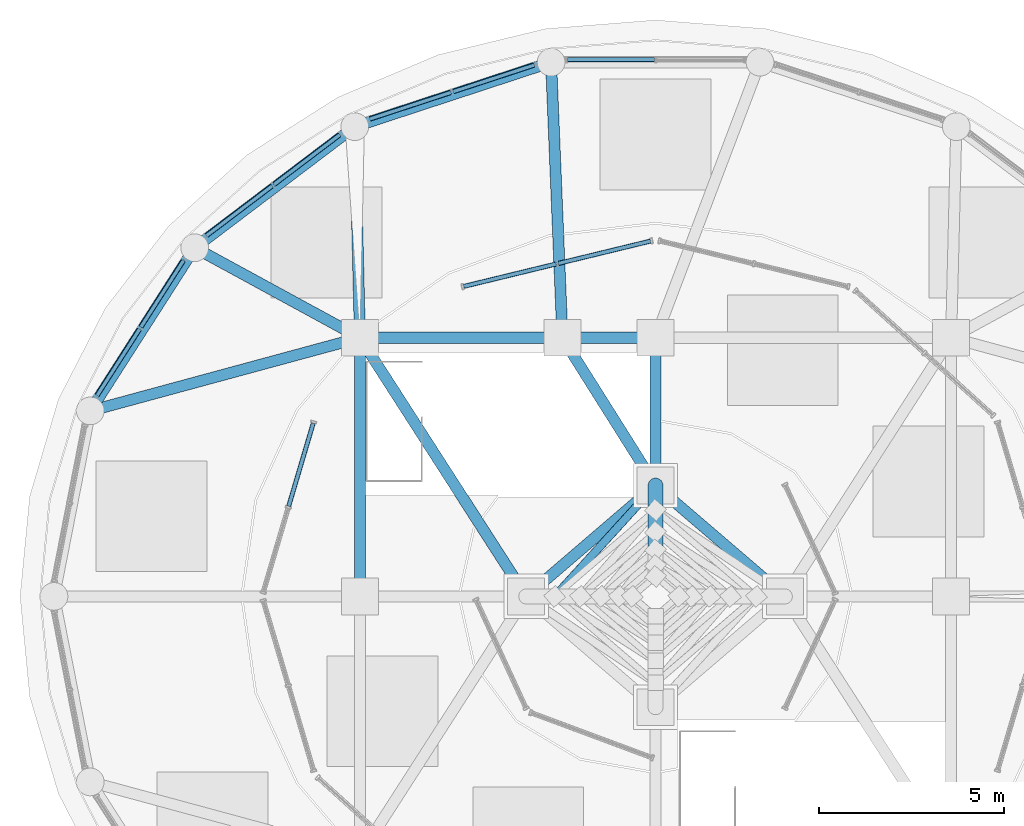
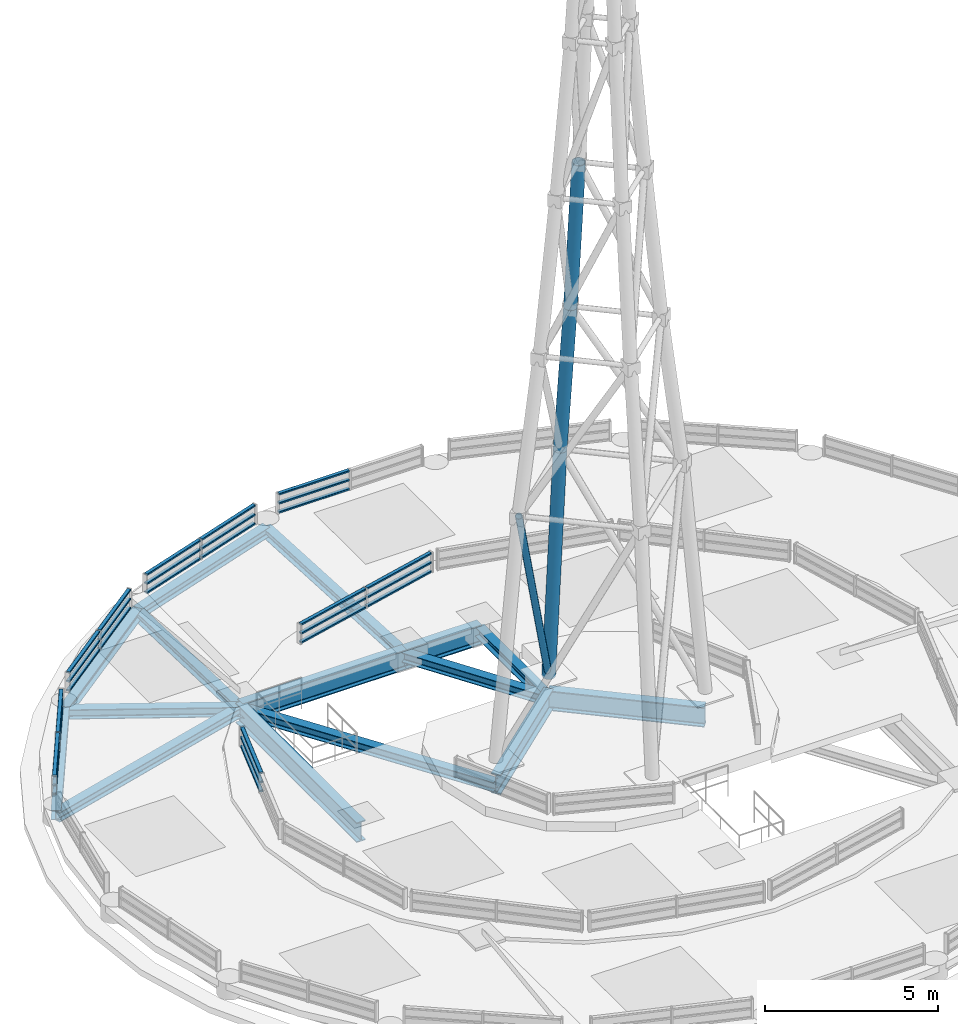
# One storey, part 5 of 21: 34 members, 15 beams, 6 elements without a shape of their own.
"""IFC4 building model written with IfcOpenShell, lengths in metres."""

from ifc_helpers import new_model, si_unit, direction, frame, origin, origin_2d, place, context, subcontext, project, spatial, hollow_rectangle, hollow_circle, i_section, extrude, material, layer, layer_set, material_profile, profile_set, type_object, element, aggregate, save


model = new_model("IFC4")

# Units and contexts
model_context = context("Model", 3, precision=1e-05, world=origin(), true_north=direction((0.0, 1.0)))
body_context = subcontext(model_context, "Body", "Model", "MODEL_VIEW")
ifc_project = project(units=[si_unit("LENGTHUNIT", "METRE"), si_unit("AREAUNIT", "SQUARE_METRE"), si_unit("VOLUMEUNIT", "CUBIC_METRE"), si_unit("PLANEANGLEUNIT", "RADIAN"), si_unit("MASSUNIT", "GRAM", prefix="KILO")], contexts=[model_context])

# Site, building, storey
site_placement = place(None, origin())
site = spatial("IfcSite", under=ifc_project, at=site_placement, CompositionType="ELEMENT")
building_placement = place(site_placement, origin())
building = spatial("IfcBuilding", under=site, at=building_placement, Name="Kelanora Arch Commons", CompositionType="ELEMENT")
storey_placement = place(building_placement, frame((0.0, 0.0, 311.10009765625)))
storey = spatial("IfcBuildingStorey", under=building, at=storey_placement, Name="RF", CompositionType="ELEMENT", Elevation=311.10009765625)

# Beams
ifc_material_1 = material(Name="Steel S355", Category="steel")
ifc_material_profile_1 = material_profile(ifc_material_1, i_section(OverallWidth=0.300048828125, OverallDepth=0.699951171875, WebThickness=0.01708984375, FlangeThickness=0.031982421875, FilletRadius=0.027099609375, at=origin_2d()), Name="HEB700")
ifc_profile_set_1 = profile_set([ifc_material_profile_1], Name="Steel S355")
beam_type_1 = type_object("IfcBeamType", Name="BM-CORE-HDR", PredefinedType="BEAM", material=ifc_profile_set_1)
beam_1_placement = place(storey_placement, frame((74.0, 65.0, 0.099853515625), z_axis=(-1.0, 0.0, 0.0), x_axis=(0.0, -1.0, 0.0)))
element("IfcBeam", 1, at=beam_1_placement, inside=storey, type_object=beam_type_1, Name="Crown Mid Lantern Roof Ring 06", PredefinedType="BEAM", context=body_context, shape_type="SweptSolid", body=[
    extrude(i_section(OverallWidth=0.300048828125, OverallDepth=0.699951171875, WebThickness=0.01708984375, FlangeThickness=0.031982421875, FilletRadius=0.027099609375, at=origin_2d()), origin(), (0.0, 0.0, 1.0), 2.52001953125),
])
beam_2_placement = place(storey_placement, frame((71.47998046875, 65.0, 0.099853515625), z_axis=(-1.0, 0.0, 0.0), x_axis=(0.0, -1.0, 0.0)))
element("IfcBeam", 2, at=beam_2_placement, inside=storey, type_object=beam_type_1, Name="Crown Mid Lantern Roof Ring 07", PredefinedType="BEAM", context=body_context, shape_type="SweptSolid", body=[
    extrude(i_section(OverallWidth=0.300048828125, OverallDepth=0.699951171875, WebThickness=0.01708984375, FlangeThickness=0.031982421875, FilletRadius=0.027099609375, at=origin_2d()), origin(), (0.0, 0.0, 1.0), 5.47998046875),
])
beam_3_placement = place(storey_placement, frame((66.0, 65.0, 0.099853515625), z_axis=(0.0, -1.0, 0.0), x_axis=(1.0, 0.0, 0.0)))
element("IfcBeam", 3, at=beam_3_placement, inside=storey, type_object=beam_type_1, Name="Crown Mid Lantern Roof Ring 08", PredefinedType="BEAM", context=body_context, shape_type="SweptSolid", body=[
    extrude(i_section(OverallWidth=0.300048828125, OverallDepth=0.699951171875, WebThickness=0.01708984375, FlangeThickness=0.031982421875, FilletRadius=0.027099609375, at=origin_2d()), origin(), (0.0, 0.0, 1.0), 7.0),
])
for number, where, z_axis, x_axis, name in (
    (4, (77.5, 58.0, 0.199951171875), (-0.759256602365, 0.650791373456, 0.0), (-0.650791373456, -0.759256602365, 0.0), "Crown Collar Diamond Ring 02"),
    (5, (74.0, 61.0, 0.199951171875), (-0.759256602365, -0.650791373456, 0.0), (0.650791373456, -0.759256602365, 0.0), "Crown Collar Diamond Ring 03"),
):
    element("IfcBeam", number, at=place(storey_placement, frame(where, z_axis=z_axis, x_axis=x_axis)), inside=storey, type_object=beam_type_1, Name=name, PredefinedType="BEAM", context=body_context, shape_type="SweptSolid", body=[
        extrude(i_section(OverallWidth=0.300048828125, OverallDepth=0.699951171875, WebThickness=0.01708984375, FlangeThickness=0.031982421875, FilletRadius=0.027099609375, at=origin_2d()), origin(), (0.0, 0.0, 1.0), 4.60986328125),
    ])
ifc_material_profile_2 = material_profile(ifc_material_1, i_section(OverallWidth=0.300048828125, OverallDepth=0.340087890625, WebThickness=0.011962890625, FlangeThickness=0.021484375, FilletRadius=0.027099609375, at=origin_2d()), Name="HEB340")
ifc_profile_set_2 = profile_set([ifc_material_profile_2], Name="Steel S355")
beam_type_2 = type_object("IfcBeamType", Name="BM-DRUM-RING", PredefinedType="BEAM", material=ifc_profile_set_2)
beam_4_placement = place(storey_placement, frame((71.173095703125, 72.45703125, 0.179931640625), z_axis=(-0.950140083071, -0.311823383572, 0.0), x_axis=(0.311823383572, -0.950140083071, 0.0)))
element("IfcBeam", 6, at=beam_4_placement, inside=storey, type_object=beam_type_2, Name="Crown Outer Lantern Ring Beam 10", PredefinedType="BEAM", context=body_context, shape_type="SweptSolid", body=[
    extrude(i_section(OverallWidth=0.300048828125, OverallDepth=0.340087890625, WebThickness=0.011962890625, FlangeThickness=0.021484375, FilletRadius=0.027099609375, at=origin_2d()), origin(), (0.0, 0.0, 1.0), 5.591796875),
])
beam_5_placement = place(storey_placement, frame((65.860107421875, 70.71337890625, 0.179931640625), z_axis=(-0.797441458309, -0.603396321309, 0.0), x_axis=(0.603396321309, -0.797441458309, 0.0)))
element("IfcBeam", 7, at=beam_5_placement, inside=storey, type_object=beam_type_2, Name="Crown Outer Lantern Ring Beam 12", PredefinedType="BEAM", context=body_context, shape_type="SweptSolid", body=[
    extrude(i_section(OverallWidth=0.300048828125, OverallDepth=0.340087890625, WebThickness=0.011962890625, FlangeThickness=0.021484375, FilletRadius=0.027099609375, at=origin_2d()), origin(), (0.0, 0.0, 1.0), 5.431396484375),
])
beam_6_placement = place(storey_placement, frame((61.52880859375, 67.43603515625, 0.179931640625), z_axis=(-0.53922680048, -0.842160588987, 0.0), x_axis=(0.842160588987, -0.53922680048, 0.0)))
element("IfcBeam", 8, at=beam_6_placement, inside=storey, type_object=beam_type_2, Name="Crown Outer Lantern Ring Beam 14", PredefinedType="BEAM", context=body_context, shape_type="SweptSolid", body=[
    extrude(i_section(OverallWidth=0.300048828125, OverallDepth=0.340087890625, WebThickness=0.011962890625, FlangeThickness=0.021484375, FilletRadius=0.027099609375, at=origin_2d()), origin(), (0.0, 0.0, 1.0), 5.242431640625),
])
beam_7_placement = place(storey_placement, frame((74.0, 65.0, 0.169921875), z_axis=(0.0, -1.0, 0.0), x_axis=(1.0, 0.0, 0.0)))
element("IfcBeam", 9, at=beam_7_placement, inside=storey, type_object=beam_type_2, Name="Sloped Glass Crown Inner Rafter 03", PredefinedType="BEAM", context=body_context, shape_type="SweptSolid", body=[
    extrude(i_section(OverallWidth=0.300048828125, OverallDepth=0.340087890625, WebThickness=0.011962890625, FlangeThickness=0.021484375, FilletRadius=0.027099609375, at=origin_2d()), origin(), (0.0, 0.0, 1.0), 4.0),
])
beam_8_placement = place(storey_placement, frame((71.173095703125, 72.45703125, 0.169921875), z_axis=(0.041118939996, -0.999154258748, 0.0), x_axis=(0.999154258748, 0.041118939996, 0.0)))
element("IfcBeam", 10, at=beam_8_placement, inside=storey, type_object=beam_type_2, Name="Sloped Glass Crown Outer Rafter 06A", PredefinedType="BEAM", context=body_context, shape_type="SweptSolid", body=[
    extrude(i_section(OverallWidth=0.300048828125, OverallDepth=0.340087890625, WebThickness=0.011962890625, FlangeThickness=0.021484375, FilletRadius=0.027099609375, at=origin_2d()), origin(), (0.0, 0.0, 1.0), 7.46337890625),
])
beam_9_placement = place(storey_placement, frame((71.47998046875, 65.0, 0.169921875), z_axis=(0.533040613836, -0.846089654824, 0.0), x_axis=(0.846089654824, 0.533040613836, 0.0)))
element("IfcBeam", 11, at=beam_9_placement, inside=storey, type_object=beam_type_2, Name="Sloped Glass Crown Inner Rafter 04", PredefinedType="BEAM", context=body_context, shape_type="SweptSolid", body=[
    extrude(i_section(OverallWidth=0.300048828125, OverallDepth=0.340087890625, WebThickness=0.011962890625, FlangeThickness=0.021484375, FilletRadius=0.027099609375, at=origin_2d()), origin(), (0.0, 0.0, 1.0), 4.7275390625),
])
beam_10_placement = place(storey_placement, frame((65.860107421875, 70.71337890625, 0.169921875), z_axis=(0.0244777504, -0.99970037498, 0.0), x_axis=(0.99970037498, 0.0244777504, 0.0)))
element("IfcBeam", 12, at=beam_10_placement, inside=storey, type_object=beam_type_2, Name="Sloped Glass Crown Outer Rafter 07A", PredefinedType="BEAM", context=body_context, shape_type="SweptSolid", body=[
    extrude(i_section(OverallWidth=0.300048828125, OverallDepth=0.340087890625, WebThickness=0.011962890625, FlangeThickness=0.021484375, FilletRadius=0.027099609375, at=origin_2d()), origin(), (0.0, 0.0, 1.0), 5.715087890625),
])
beam_11_placement = place(storey_placement, frame((66.0, 65.0, 0.169921875), z_axis=(0.540757591313, -0.841178475377, 0.0), x_axis=(0.841178475377, 0.540757591313, 0.0)))
element("IfcBeam", 13, at=beam_11_placement, inside=storey, type_object=beam_type_2, Name="Sloped Glass Crown Inner Rafter 05", PredefinedType="BEAM", context=body_context, shape_type="SweptSolid", body=[
    extrude(i_section(OverallWidth=0.300048828125, OverallDepth=0.340087890625, WebThickness=0.011962890625, FlangeThickness=0.021484375, FilletRadius=0.027099609375, at=origin_2d()), origin(), (0.0, 0.0, 1.0), 8.32177734375),
])
beam_12_placement = place(storey_placement, frame((61.52880859375, 67.43603515625, 0.169921875), z_axis=(0.878126355987, -0.478428785631, 0.0), x_axis=(0.478428785631, 0.878126355987, 0.0)))
element("IfcBeam", 14, at=beam_12_placement, inside=storey, type_object=beam_type_2, Name="Sloped Glass Crown Outer Rafter 08A", PredefinedType="BEAM", context=body_context, shape_type="SweptSolid", body=[
    extrude(i_section(OverallWidth=0.300048828125, OverallDepth=0.340087890625, WebThickness=0.011962890625, FlangeThickness=0.021484375, FilletRadius=0.027099609375, at=origin_2d()), origin(), (0.0, 0.0, 1.0), 5.091796875),
])
beam_13_placement = place(storey_placement, frame((58.701904296875, 63.02099609375, 0.169921875), z_axis=(0.965145027625, 0.26171563891, 0.0), x_axis=(-0.26171563891, 0.965145027625, 0.0)))
element("IfcBeam", 15, at=beam_13_placement, inside=storey, type_object=beam_type_2, Name="Sloped Glass Crown Outer Rafter 09A", PredefinedType="BEAM", context=body_context, shape_type="SweptSolid", body=[
    extrude(i_section(OverallWidth=0.300048828125, OverallDepth=0.340087890625, WebThickness=0.011962890625, FlangeThickness=0.021484375, FilletRadius=0.027099609375, at=origin_2d()), origin(), (0.0, 0.0, 1.0), 7.561767578125),
])

# Curtain wall, members
ifc_material_2 = material(Name="Terracotta ceramic-fritted low-E glass and aluminium", Category="masonry")
ifc_layer = layer(ifc_material_2, 0.14990234375)
ifc_layer_set = layer_set([ifc_layer], Name="Terracotta ceramic-fritted low-E glass and aluminium")
curtain_wall_type = type_object("IfcCurtainWallType", Name="CW-SYS-06", PredefinedType="NOTDEFINED", material=ifc_layer_set)
curtain_wall_1_placement = place(storey_placement, origin())
curtain_wall_1 = element("IfcCurtainWall", 16, at=curtain_wall_1_placement, inside=storey, type_object=curtain_wall_type, Name="Sloped Glass Crown Lantern T1-05", PredefinedType="NOTDEFINED")
ifc_material_3 = material(Name="Powder-coated aluminium terracotta", Category="masonry")
ifc_material_profile_3 = material_profile(ifc_material_3, hollow_rectangle(XDim=0.1201171875, YDim=0.06005859375, WallThickness=0.0048828125, InnerFilletRadius=0.0048828125, OuterFilletRadius=0.010009765625, at=origin_2d()), Name="CWT120x60")
ifc_profile_set_3 = profile_set([ifc_material_profile_3], Name="Powder-coated aluminium terracotta")
member_type_1 = type_object("IfcMemberType", Name="CWT-STD", PredefinedType="USERDEFINED", material=ifc_profile_set_3)
member_1_placement = place(storey_placement, frame((73.969970703125, 72.52587890625, 0.619873046875), z_axis=(-1.0, 0.0, 0.0), x_axis=(0.0, -1.0, 0.0)))
member_1 = element("IfcMember", 17, at=member_1_placement, type_object=member_type_1, Name="CW-06 transom 2.1", ObjectType="TRANSOM", PredefinedType="USERDEFINED", context=body_context, shape_type="SweptSolid", body=[
    extrude(hollow_rectangle(XDim=0.1201171875, YDim=0.06005859375, WallThickness=0.0048828125, InnerFilletRadius=0.0048828125, OuterFilletRadius=0.010009765625, at=origin_2d()), origin(), (0.0, 0.0, 1.0), 2.34912109375),
])
member_2_placement = place(storey_placement, frame((73.969970703125, 72.52587890625, 0.93994140625), z_axis=(-1.0, 0.0, 0.0), x_axis=(0.0, -1.0, 0.0)))
member_2 = element("IfcMember", 18, at=member_2_placement, type_object=member_type_1, Name="CW-06 transom 2.2", ObjectType="TRANSOM", PredefinedType="USERDEFINED", context=body_context, shape_type="SweptSolid", body=[
    extrude(hollow_rectangle(XDim=0.1201171875, YDim=0.06005859375, WallThickness=0.0048828125, InnerFilletRadius=0.0048828125, OuterFilletRadius=0.010009765625, at=origin_2d()), origin(), (0.0, 0.0, 1.0), 2.34912109375),
])
member_3_placement = place(storey_placement, frame((73.969970703125, 72.52587890625, 1.260009765625), z_axis=(-1.0, 0.0, 0.0), x_axis=(0.0, -1.0, 0.0)))
member_3 = element("IfcMember", 19, at=member_3_placement, type_object=member_type_1, Name="CW-06 transom 2.3", ObjectType="TRANSOM", PredefinedType="USERDEFINED", context=body_context, shape_type="SweptSolid", body=[
    extrude(hollow_rectangle(XDim=0.1201171875, YDim=0.06005859375, WallThickness=0.0048828125, InnerFilletRadius=0.0048828125, OuterFilletRadius=0.010009765625, at=origin_2d()), origin(), (0.0, 0.0, 1.0), 2.34912109375),
])
aggregate(curtain_wall_1, [member_1, member_2, member_3])

curtain_wall_2_placement = place(storey_placement, origin())
curtain_wall_2 = element("IfcCurtainWall", 20, at=curtain_wall_2_placement, inside=storey, type_object=curtain_wall_type, Name="Sloped Glass Crown Lantern T1-06", PredefinedType="NOTDEFINED")
member_4_placement = place(storey_placement, frame((70.723876953125, 72.38232421875, 0.619873046875), z_axis=(-0.950095534475, -0.311959092464, 0.0), x_axis=(0.311959092464, -0.950095534475, 0.0)))
member_4 = element("IfcMember", 21, at=member_4_placement, type_object=member_type_1, Name="CW-06 transom 1.1", ObjectType="TRANSOM", PredefinedType="USERDEFINED", context=body_context, shape_type="SweptSolid", body=[
    extrude(hollow_rectangle(XDim=0.1201171875, YDim=0.06005859375, WallThickness=0.0048828125, InnerFilletRadius=0.0048828125, OuterFilletRadius=0.010009765625, at=origin_2d()), origin(), (0.0, 0.0, 1.0), 2.318115234375),
])
member_5_placement = place(storey_placement, frame((70.723876953125, 72.38232421875, 0.93994140625), z_axis=(-0.950095534475, -0.311959092464, 0.0), x_axis=(0.311959092464, -0.950095534475, 0.0)))
member_5 = element("IfcMember", 22, at=member_5_placement, type_object=member_type_1, Name="CW-06 transom 1.2", ObjectType="TRANSOM", PredefinedType="USERDEFINED", context=body_context, shape_type="SweptSolid", body=[
    extrude(hollow_rectangle(XDim=0.1201171875, YDim=0.06005859375, WallThickness=0.0048828125, InnerFilletRadius=0.0048828125, OuterFilletRadius=0.010009765625, at=origin_2d()), origin(), (0.0, 0.0, 1.0), 2.318115234375),
])
member_6_placement = place(storey_placement, frame((70.723876953125, 72.38232421875, 1.260009765625), z_axis=(-0.950095534475, -0.311959092464, 0.0), x_axis=(0.311959092464, -0.950095534475, 0.0)))
member_6 = element("IfcMember", 23, at=member_6_placement, type_object=member_type_1, Name="CW-06 transom 1.3", ObjectType="TRANSOM", PredefinedType="USERDEFINED", context=body_context, shape_type="SweptSolid", body=[
    extrude(hollow_rectangle(XDim=0.1201171875, YDim=0.06005859375, WallThickness=0.0048828125, InnerFilletRadius=0.0048828125, OuterFilletRadius=0.010009765625, at=origin_2d()), origin(), (0.0, 0.0, 1.0), 2.318115234375),
])
member_7_placement = place(storey_placement, frame((68.46435546875, 71.640625, 0.619873046875), z_axis=(-0.950095534475, -0.311959092464, 0.0), x_axis=(0.311959092464, -0.950095534475, 0.0)))
member_7 = element("IfcMember", 24, at=member_7_placement, type_object=member_type_1, Name="CW-06 transom 2.1", ObjectType="TRANSOM", PredefinedType="USERDEFINED", context=body_context, shape_type="SweptSolid", body=[
    extrude(hollow_rectangle(XDim=0.1201171875, YDim=0.06005859375, WallThickness=0.0048828125, InnerFilletRadius=0.0048828125, OuterFilletRadius=0.010009765625, at=origin_2d()), origin(), (0.0, 0.0, 1.0), 2.318115234375),
])
member_8_placement = place(storey_placement, frame((68.46435546875, 71.640625, 0.93994140625), z_axis=(-0.950095534475, -0.311959092464, 0.0), x_axis=(0.311959092464, -0.950095534475, 0.0)))
member_8 = element("IfcMember", 25, at=member_8_placement, type_object=member_type_1, Name="CW-06 transom 2.2", ObjectType="TRANSOM", PredefinedType="USERDEFINED", context=body_context, shape_type="SweptSolid", body=[
    extrude(hollow_rectangle(XDim=0.1201171875, YDim=0.06005859375, WallThickness=0.0048828125, InnerFilletRadius=0.0048828125, OuterFilletRadius=0.010009765625, at=origin_2d()), origin(), (0.0, 0.0, 1.0), 2.318115234375),
])
member_9_placement = place(storey_placement, frame((68.46435546875, 71.640625, 1.260009765625), z_axis=(-0.950095534475, -0.311959092464, 0.0), x_axis=(0.311959092464, -0.950095534475, 0.0)))
member_9 = element("IfcMember", 26, at=member_9_placement, type_object=member_type_1, Name="CW-06 transom 2.3", ObjectType="TRANSOM", PredefinedType="USERDEFINED", context=body_context, shape_type="SweptSolid", body=[
    extrude(hollow_rectangle(XDim=0.1201171875, YDim=0.06005859375, WallThickness=0.0048828125, InnerFilletRadius=0.0048828125, OuterFilletRadius=0.010009765625, at=origin_2d()), origin(), (0.0, 0.0, 1.0), 2.318115234375),
])
aggregate(curtain_wall_2, [member_4, member_5, member_6, member_7, member_8, member_9])

curtain_wall_3_placement = place(storey_placement, origin())
curtain_wall_3 = element("IfcCurtainWall", 27, at=curtain_wall_3_placement, inside=storey, type_object=curtain_wall_type, Name="Sloped Glass Crown Lantern T1-07", PredefinedType="NOTDEFINED")
member_10_placement = place(storey_placement, frame((65.458251953125, 70.496337890625, 0.619873046875), z_axis=(-0.797268741575, -0.603624513839, 0.0), x_axis=(0.603624513839, -0.797268741575, 0.0)))
member_10 = element("IfcMember", 28, at=member_10_placement, type_object=member_type_1, Name="CW-06 transom 1.1", ObjectType="TRANSOM", PredefinedType="USERDEFINED", context=body_context, shape_type="SweptSolid", body=[
    extrude(hollow_rectangle(XDim=0.1201171875, YDim=0.06005859375, WallThickness=0.0048828125, InnerFilletRadius=0.0048828125, OuterFilletRadius=0.010009765625, at=origin_2d()), origin(), (0.0, 0.0, 1.0), 2.23779296875),
])
member_11_placement = place(storey_placement, frame((65.458251953125, 70.496337890625, 0.93994140625), z_axis=(-0.797268741575, -0.603624513839, 0.0), x_axis=(0.603624513839, -0.797268741575, 0.0)))
member_11 = element("IfcMember", 29, at=member_11_placement, type_object=member_type_1, Name="CW-06 transom 1.2", ObjectType="TRANSOM", PredefinedType="USERDEFINED", context=body_context, shape_type="SweptSolid", body=[
    extrude(hollow_rectangle(XDim=0.1201171875, YDim=0.06005859375, WallThickness=0.0048828125, InnerFilletRadius=0.0048828125, OuterFilletRadius=0.010009765625, at=origin_2d()), origin(), (0.0, 0.0, 1.0), 2.23779296875),
])
member_12_placement = place(storey_placement, frame((65.458251953125, 70.496337890625, 1.260009765625), z_axis=(-0.797268741575, -0.603624513839, 0.0), x_axis=(0.603624513839, -0.797268741575, 0.0)))
member_12 = element("IfcMember", 30, at=member_12_placement, type_object=member_type_1, Name="CW-06 transom 1.3", ObjectType="TRANSOM", PredefinedType="USERDEFINED", context=body_context, shape_type="SweptSolid", body=[
    extrude(hollow_rectangle(XDim=0.1201171875, YDim=0.06005859375, WallThickness=0.0048828125, InnerFilletRadius=0.0048828125, OuterFilletRadius=0.010009765625, at=origin_2d()), origin(), (0.0, 0.0, 1.0), 2.23779296875),
])
member_13_placement = place(storey_placement, frame((63.626220703125, 69.109375, 0.619873046875), z_axis=(-0.797321244253, -0.603555161906, 0.0), x_axis=(0.603555161906, -0.797321244253, 0.0)))
member_13 = element("IfcMember", 31, at=member_13_placement, type_object=member_type_1, Name="CW-06 transom 2.1", ObjectType="TRANSOM", PredefinedType="USERDEFINED", context=body_context, shape_type="SweptSolid", body=[
    extrude(hollow_rectangle(XDim=0.1201171875, YDim=0.06005859375, WallThickness=0.0048828125, InnerFilletRadius=0.0048828125, OuterFilletRadius=0.010009765625, at=origin_2d()), origin(), (0.0, 0.0, 1.0), 2.23779296875),
])
member_14_placement = place(storey_placement, frame((63.626220703125, 69.109375, 0.93994140625), z_axis=(-0.797321244253, -0.603555161906, 0.0), x_axis=(0.603555161906, -0.797321244253, 0.0)))
member_14 = element("IfcMember", 32, at=member_14_placement, type_object=member_type_1, Name="CW-06 transom 2.2", ObjectType="TRANSOM", PredefinedType="USERDEFINED", context=body_context, shape_type="SweptSolid", body=[
    extrude(hollow_rectangle(XDim=0.1201171875, YDim=0.06005859375, WallThickness=0.0048828125, InnerFilletRadius=0.0048828125, OuterFilletRadius=0.010009765625, at=origin_2d()), origin(), (0.0, 0.0, 1.0), 2.23779296875),
])
member_15_placement = place(storey_placement, frame((63.626220703125, 69.109375, 1.260009765625), z_axis=(-0.797321244253, -0.603555161906, 0.0), x_axis=(0.603555161906, -0.797321244253, 0.0)))
member_15 = element("IfcMember", 33, at=member_15_placement, type_object=member_type_1, Name="CW-06 transom 2.3", ObjectType="TRANSOM", PredefinedType="USERDEFINED", context=body_context, shape_type="SweptSolid", body=[
    extrude(hollow_rectangle(XDim=0.1201171875, YDim=0.06005859375, WallThickness=0.0048828125, InnerFilletRadius=0.0048828125, OuterFilletRadius=0.010009765625, at=origin_2d()), origin(), (0.0, 0.0, 1.0), 2.23779296875),
])
aggregate(curtain_wall_3, [member_10, member_11, member_12, member_13, member_14, member_15])

curtain_wall_4_placement = place(storey_placement, origin())
curtain_wall_4 = element("IfcCurtainWall", 34, at=curtain_wall_4_placement, inside=storey, type_object=curtain_wall_type, Name="Sloped Glass Crown Lantern T1-08", PredefinedType="NOTDEFINED")
member_16_placement = place(storey_placement, frame((61.227294921875, 67.09375, 0.619873046875), z_axis=(-0.539069856372, -0.842261058076, 0.0), x_axis=(0.842261058076, -0.539069856372, 0.0)))
member_16 = element("IfcMember", 35, at=member_16_placement, type_object=member_type_1, Name="CW-06 transom 1.1", ObjectType="TRANSOM", PredefinedType="USERDEFINED", context=body_context, shape_type="SweptSolid", body=[
    extrude(hollow_rectangle(XDim=0.1201171875, YDim=0.06005859375, WallThickness=0.0048828125, InnerFilletRadius=0.0048828125, OuterFilletRadius=0.010009765625, at=origin_2d()), origin(), (0.0, 0.0, 1.0), 2.1435546875),
])
member_17_placement = place(storey_placement, frame((61.227294921875, 67.09375, 0.93994140625), z_axis=(-0.539069856372, -0.842261058076, 0.0), x_axis=(0.842261058076, -0.539069856372, 0.0)))
member_17 = element("IfcMember", 36, at=member_17_placement, type_object=member_type_1, Name="CW-06 transom 1.2", ObjectType="TRANSOM", PredefinedType="USERDEFINED", context=body_context, shape_type="SweptSolid", body=[
    extrude(hollow_rectangle(XDim=0.1201171875, YDim=0.06005859375, WallThickness=0.0048828125, InnerFilletRadius=0.0048828125, OuterFilletRadius=0.010009765625, at=origin_2d()), origin(), (0.0, 0.0, 1.0), 2.1435546875),
])
member_18_placement = place(storey_placement, frame((61.227294921875, 67.09375, 1.260009765625), z_axis=(-0.539069856372, -0.842261058076, 0.0), x_axis=(0.842261058076, -0.539069856372, 0.0)))
member_18 = element("IfcMember", 37, at=member_18_placement, type_object=member_type_1, Name="CW-06 transom 1.3", ObjectType="TRANSOM", PredefinedType="USERDEFINED", context=body_context, shape_type="SweptSolid", body=[
    extrude(hollow_rectangle(XDim=0.1201171875, YDim=0.06005859375, WallThickness=0.0048828125, InnerFilletRadius=0.0048828125, OuterFilletRadius=0.010009765625, at=origin_2d()), origin(), (0.0, 0.0, 1.0), 2.1435546875),
])
member_19_placement = place(storey_placement, frame((60.039306640625, 65.23779296875, 0.619873046875), z_axis=(-0.538937342954, -0.842345855555, 0.0), x_axis=(0.842345855555, -0.538937342954, 0.0)))
member_19 = element("IfcMember", 38, at=member_19_placement, type_object=member_type_1, Name="CW-06 transom 2.1", ObjectType="TRANSOM", PredefinedType="USERDEFINED", context=body_context, shape_type="SweptSolid", body=[
    extrude(hollow_rectangle(XDim=0.1201171875, YDim=0.06005859375, WallThickness=0.0048828125, InnerFilletRadius=0.0048828125, OuterFilletRadius=0.010009765625, at=origin_2d()), origin(), (0.0, 0.0, 1.0), 2.1435546875),
])
member_20_placement = place(storey_placement, frame((60.039306640625, 65.23779296875, 0.93994140625), z_axis=(-0.538937342954, -0.842345855555, 0.0), x_axis=(0.842345855555, -0.538937342954, 0.0)))
member_20 = element("IfcMember", 39, at=member_20_placement, type_object=member_type_1, Name="CW-06 transom 2.2", ObjectType="TRANSOM", PredefinedType="USERDEFINED", context=body_context, shape_type="SweptSolid", body=[
    extrude(hollow_rectangle(XDim=0.1201171875, YDim=0.06005859375, WallThickness=0.0048828125, InnerFilletRadius=0.0048828125, OuterFilletRadius=0.010009765625, at=origin_2d()), origin(), (0.0, 0.0, 1.0), 2.1435546875),
])
member_21_placement = place(storey_placement, frame((60.039306640625, 65.23779296875, 1.260009765625), z_axis=(-0.538937342954, -0.842345855555, 0.0), x_axis=(0.842345855555, -0.538937342954, 0.0)))
member_21 = element("IfcMember", 40, at=member_21_placement, type_object=member_type_1, Name="CW-06 transom 2.3", ObjectType="TRANSOM", PredefinedType="USERDEFINED", context=body_context, shape_type="SweptSolid", body=[
    extrude(hollow_rectangle(XDim=0.1201171875, YDim=0.06005859375, WallThickness=0.0048828125, InnerFilletRadius=0.0048828125, OuterFilletRadius=0.010009765625, at=origin_2d()), origin(), (0.0, 0.0, 1.0), 2.1435546875),
])
aggregate(curtain_wall_4, [member_16, member_17, member_18, member_19, member_20, member_21])

curtain_wall_5_placement = place(storey_placement, origin())
curtain_wall_5 = element("IfcCurtainWall", 41, at=curtain_wall_5_placement, inside=storey, type_object=curtain_wall_type, Name="Sloped Glass Crown Lantern T2-04", PredefinedType="NOTDEFINED")
member_22_placement = place(storey_placement, frame((73.864013671875, 67.616943359375, 0.719970703125), z_axis=(-0.971779531305, -0.235890954759, 0.0), x_axis=(0.235890954759, -0.971779531305, 0.0)))
member_22 = element("IfcMember", 42, at=member_22_placement, type_object=member_type_1, Name="CW-06 transom 1.1", ObjectType="TRANSOM", PredefinedType="USERDEFINED", context=body_context, shape_type="SweptSolid", body=[
    extrude(hollow_rectangle(XDim=0.1201171875, YDim=0.06005859375, WallThickness=0.0048828125, InnerFilletRadius=0.0048828125, OuterFilletRadius=0.010009765625, at=origin_2d()), origin(), (0.0, 0.0, 1.0), 2.56982421875),
])
member_23_placement = place(storey_placement, frame((73.864013671875, 67.616943359375, 1.039794921875), z_axis=(-0.971779531305, -0.235890954759, 0.0), x_axis=(0.235890954759, -0.971779531305, 0.0)))
member_23 = element("IfcMember", 43, at=member_23_placement, type_object=member_type_1, Name="CW-06 transom 1.2", ObjectType="TRANSOM", PredefinedType="USERDEFINED", context=body_context, shape_type="SweptSolid", body=[
    extrude(hollow_rectangle(XDim=0.1201171875, YDim=0.06005859375, WallThickness=0.0048828125, InnerFilletRadius=0.0048828125, OuterFilletRadius=0.010009765625, at=origin_2d()), origin(), (0.0, 0.0, 1.0), 2.56982421875),
])
member_24_placement = place(storey_placement, frame((73.864013671875, 67.616943359375, 1.35986328125), z_axis=(-0.971779531305, -0.235890954759, 0.0), x_axis=(0.235890954759, -0.971779531305, 0.0)))
member_24 = element("IfcMember", 44, at=member_24_placement, type_object=member_type_1, Name="CW-06 transom 1.3", ObjectType="TRANSOM", PredefinedType="USERDEFINED", context=body_context, shape_type="SweptSolid", body=[
    extrude(hollow_rectangle(XDim=0.1201171875, YDim=0.06005859375, WallThickness=0.0048828125, InnerFilletRadius=0.0048828125, OuterFilletRadius=0.010009765625, at=origin_2d()), origin(), (0.0, 0.0, 1.0), 2.56982421875),
])
member_25_placement = place(storey_placement, frame((71.308349609375, 66.99658203125, 0.719970703125), z_axis=(-0.971757749872, -0.235980667776, 0.0), x_axis=(0.235980667776, -0.971757749872, 0.0)))
member_25 = element("IfcMember", 45, at=member_25_placement, type_object=member_type_1, Name="CW-06 transom 2.1", ObjectType="TRANSOM", PredefinedType="USERDEFINED", context=body_context, shape_type="SweptSolid", body=[
    extrude(hollow_rectangle(XDim=0.1201171875, YDim=0.06005859375, WallThickness=0.0048828125, InnerFilletRadius=0.0048828125, OuterFilletRadius=0.010009765625, at=origin_2d()), origin(), (0.0, 0.0, 1.0), 2.56982421875),
])
member_26_placement = place(storey_placement, frame((71.308349609375, 66.99658203125, 1.039794921875), z_axis=(-0.971757749872, -0.235980667776, 0.0), x_axis=(0.235980667776, -0.971757749872, 0.0)))
member_26 = element("IfcMember", 46, at=member_26_placement, type_object=member_type_1, Name="CW-06 transom 2.2", ObjectType="TRANSOM", PredefinedType="USERDEFINED", context=body_context, shape_type="SweptSolid", body=[
    extrude(hollow_rectangle(XDim=0.1201171875, YDim=0.06005859375, WallThickness=0.0048828125, InnerFilletRadius=0.0048828125, OuterFilletRadius=0.010009765625, at=origin_2d()), origin(), (0.0, 0.0, 1.0), 2.56982421875),
])
member_27_placement = place(storey_placement, frame((71.308349609375, 66.99658203125, 1.35986328125), z_axis=(-0.971757749872, -0.235980667776, 0.0), x_axis=(0.235980667776, -0.971757749872, 0.0)))
member_27 = element("IfcMember", 47, at=member_27_placement, type_object=member_type_1, Name="CW-06 transom 2.3", ObjectType="TRANSOM", PredefinedType="USERDEFINED", context=body_context, shape_type="SweptSolid", body=[
    extrude(hollow_rectangle(XDim=0.1201171875, YDim=0.06005859375, WallThickness=0.0048828125, InnerFilletRadius=0.0048828125, OuterFilletRadius=0.010009765625, at=origin_2d()), origin(), (0.0, 0.0, 1.0), 2.56982421875),
])
aggregate(curtain_wall_5, [member_22, member_23, member_24, member_25, member_26, member_27])

curtain_wall_6_placement = place(storey_placement, origin())
curtain_wall_6 = element("IfcCurtainWall", 48, at=curtain_wall_6_placement, inside=storey, type_object=curtain_wall_type, Name="Sloped Glass Crown Lantern T2-06", PredefinedType="NOTDEFINED")
member_28_placement = place(storey_placement, frame((64.737060546875, 62.690673828125, 0.719970703125), z_axis=(-0.283507123418, -0.958970130385, 0.0), x_axis=(0.958970130385, -0.283507123418, 0.0)))
member_28 = element("IfcMember", 49, at=member_28_placement, type_object=member_type_1, Name="CW-06 transom 1.1", ObjectType="TRANSOM", PredefinedType="USERDEFINED", context=body_context, shape_type="SweptSolid", body=[
    extrude(hollow_rectangle(XDim=0.1201171875, YDim=0.06005859375, WallThickness=0.0048828125, InnerFilletRadius=0.0048828125, OuterFilletRadius=0.010009765625, at=origin_2d()), origin(), (0.0, 0.0, 1.0), 2.345703125),
])
member_29_placement = place(storey_placement, frame((64.737060546875, 62.690673828125, 1.039794921875), z_axis=(-0.283507123418, -0.958970130385, 0.0), x_axis=(0.958970130385, -0.283507123418, 0.0)))
member_29 = element("IfcMember", 50, at=member_29_placement, type_object=member_type_1, Name="CW-06 transom 1.2", ObjectType="TRANSOM", PredefinedType="USERDEFINED", context=body_context, shape_type="SweptSolid", body=[
    extrude(hollow_rectangle(XDim=0.1201171875, YDim=0.06005859375, WallThickness=0.0048828125, InnerFilletRadius=0.0048828125, OuterFilletRadius=0.010009765625, at=origin_2d()), origin(), (0.0, 0.0, 1.0), 2.345703125),
])
member_30_placement = place(storey_placement, frame((64.737060546875, 62.690673828125, 1.35986328125), z_axis=(-0.283507123418, -0.958970130385, 0.0), x_axis=(0.958970130385, -0.283507123418, 0.0)))
member_30 = element("IfcMember", 51, at=member_30_placement, type_object=member_type_1, Name="CW-06 transom 1.3", ObjectType="TRANSOM", PredefinedType="USERDEFINED", context=body_context, shape_type="SweptSolid", body=[
    extrude(hollow_rectangle(XDim=0.1201171875, YDim=0.06005859375, WallThickness=0.0048828125, InnerFilletRadius=0.0048828125, OuterFilletRadius=0.010009765625, at=origin_2d()), origin(), (0.0, 0.0, 1.0), 2.345703125),
])
aggregate(curtain_wall_6, [member_28, member_29, member_30])

# Members
ifc_material_profile_4 = material_profile(ifc_material_1, hollow_circle(Radius=0.109619140625, WallThickness=0.010009765625, at=origin_2d()), Name="CHS219.1x10")
ifc_profile_set_4 = profile_set([ifc_material_profile_4], Name="Steel S355")
member_type_2 = type_object("IfcMemberType", Name="MEM-MAST-DIAG", PredefinedType="USERDEFINED", material=ifc_profile_set_4)
member_31_placement = place(storey_placement, frame((74.0, 61.0, 1.0), z_axis=(-0.292665869863, -0.321613146921, 0.900506342201), x_axis=(0.739607715686, -0.67303820612, 0.0)))
element("IfcMember", 52, at=member_31_placement, inside=storey, type_object=member_type_2, Name="Broadcast Mast Lattice Brace T1-3", ObjectType="MAST", PredefinedType="USERDEFINED", context=body_context, shape_type="SweptSolid", body=[
    extrude(hollow_circle(Radius=0.109619140625, WallThickness=0.010009765625, at=origin_2d()), origin(), (0.0, 0.0, 1.0), 9.327880859375),
])
ifc_material_profile_5 = material_profile(ifc_material_1, hollow_circle(Radius=0.203125, WallThickness=0.02001953125, at=origin_2d()), Name="CHS406.4x20")
ifc_profile_set_5 = profile_set([ifc_material_profile_5], Name="Steel S355")
member_type_3 = type_object("IfcMemberType", Name="MEM-MAST-LEG", PredefinedType="USERDEFINED", material=ifc_profile_set_5)
member_32_placement = place(storey_placement, frame((74.0, 61.0, 1.0), z_axis=(0.0, -0.078320554522, 0.996928227476), x_axis=(1.0, 0.0, 0.0)))
element("IfcMember", 53, at=member_32_placement, inside=storey, type_object=member_type_3, Name="Broadcast Mast Corner Leg T1-3", ObjectType="MAST", PredefinedType="USERDEFINED", context=body_context, shape_type="SweptSolid", body=[
    extrude(hollow_circle(Radius=0.203125, WallThickness=0.02001953125, at=origin_2d()), origin(), (0.0, 0.0, 1.0), 8.42578125),
])
member_33_placement = place(storey_placement, frame((74.0, 60.340087890625, 9.39990234375), z_axis=(0.0, -0.110451253797, 0.993881542506), x_axis=(1.0, 0.0, 0.0)))
element("IfcMember", 54, at=member_33_placement, inside=storey, type_object=member_type_3, Name="Broadcast Mast Corner Leg T2-3", ObjectType="MAST", PredefinedType="USERDEFINED", context=body_context, shape_type="SweptSolid", body=[
    extrude(hollow_circle(Radius=0.203125, WallThickness=0.02001953125, at=origin_2d()), origin(), (0.0, 0.0, 1.0), 5.43310546875),
])
member_34_placement = place(storey_placement, frame((74.0, 59.739990234375, 14.7998046875), z_axis=(0.0, -0.088533833023, 0.996073170209), x_axis=(1.0, 0.0, 0.0)))
element("IfcMember", 55, at=member_34_placement, inside=storey, type_object=member_type_3, Name="Broadcast Mast Corner Leg T3-3", ObjectType="MAST", PredefinedType="USERDEFINED", context=body_context, shape_type="SweptSolid", body=[
    extrude(hollow_circle(Radius=0.203125, WallThickness=0.02001953125, at=origin_2d()), origin(), (0.0, 0.0, 1.0), 5.42138671875),
])

save(model, "model.ifc")
